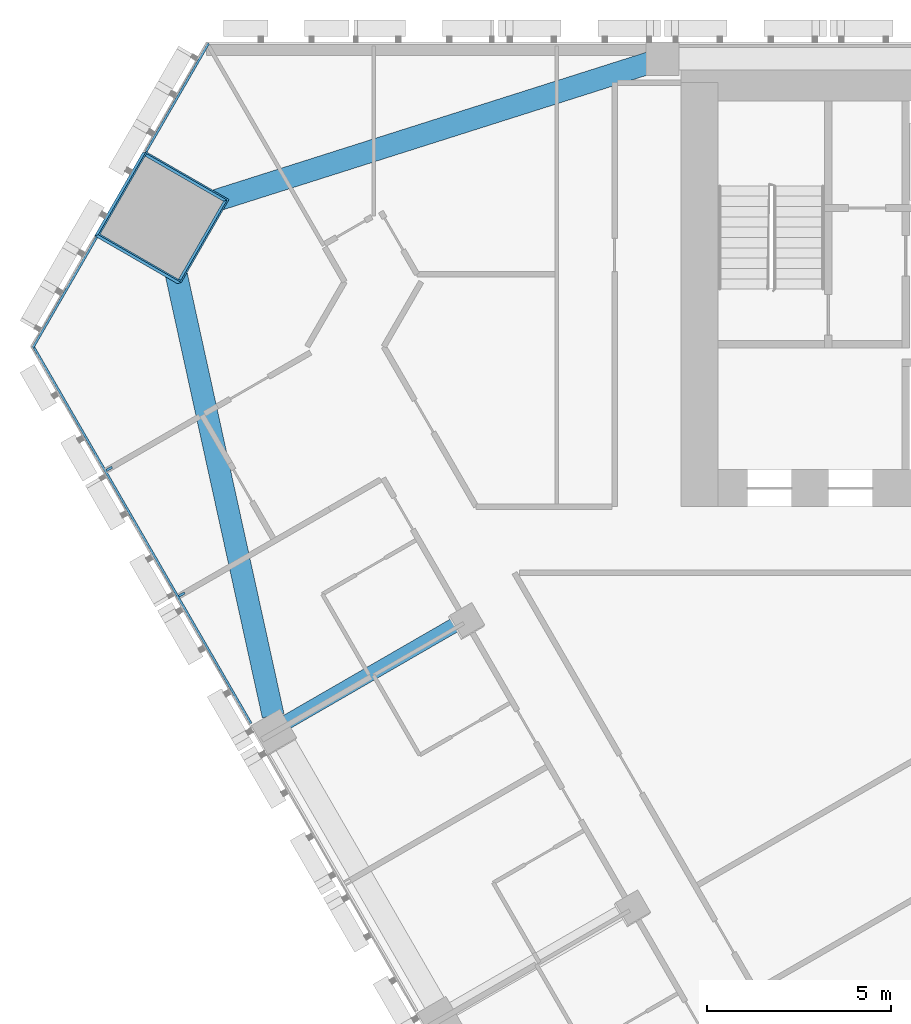
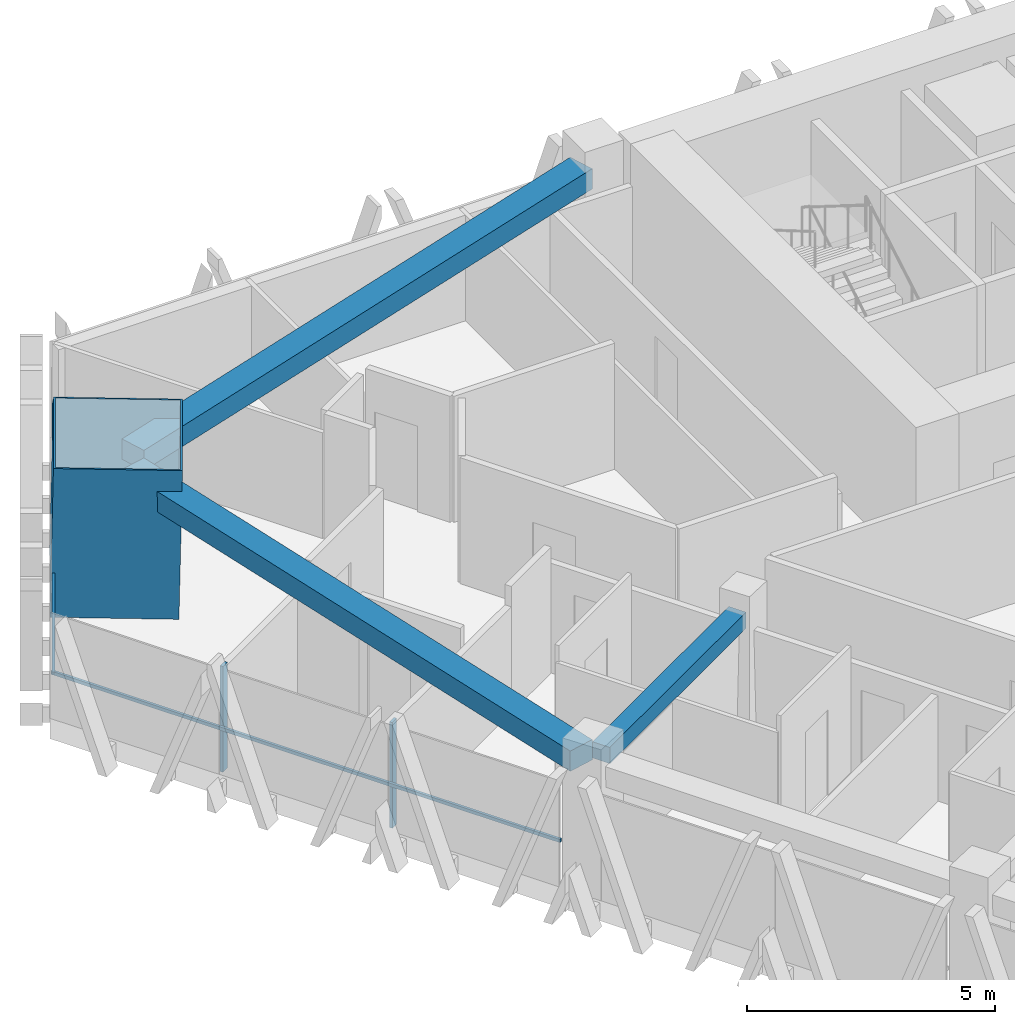
# One storey, part 6 of 18: 6 members, 3 beams, 2 elements without a shape of their own.
"""IFC4 building model written with IfcOpenShell, lengths in metres."""

from ifc_helpers import new_model, si_unit, direction, frame, origin, origin_2d, place, context, subcontext, project, spatial, rectangle, hollow_rectangle, extrude, material, layer, layer_set, material_profile, profile_set, type_object, element, aggregate, save


model = new_model("IFC4")

# Units and contexts
model_context = context("Model", 3, precision=1e-05, world=origin(), true_north=direction((0.0, 1.0)))
body_context = subcontext(model_context, "Body", "Model", "MODEL_VIEW")
ifc_project = project(units=[si_unit("LENGTHUNIT", "METRE"), si_unit("AREAUNIT", "SQUARE_METRE"), si_unit("VOLUMEUNIT", "CUBIC_METRE"), si_unit("PLANEANGLEUNIT", "RADIAN"), si_unit("MASSUNIT", "GRAM", prefix="KILO")], contexts=[model_context])

# Site, building, storey
site_placement = place(None, origin())
site = spatial("IfcSite", under=ifc_project, at=site_placement, CompositionType="ELEMENT")
building_placement = place(site_placement, origin())
building = spatial("IfcBuilding", under=site, at=building_placement, Name="Altiplano Prism Tower", CompositionType="ELEMENT")
storey_placement = place(building_placement, frame((0.0, 0.0, 48.60009765625)))
storey = spatial("IfcBuildingStorey", under=building, at=storey_placement, Name="L11", CompositionType="ELEMENT", Elevation=48.60009765625)

# Curtain wall, members
ifc_material_1 = material(Name="Aluminium and glass", Category="aluminium")
ifc_layer = layer(ifc_material_1, 0.280029296875)
ifc_layer_set = layer_set([ifc_layer], Name="Aluminium and glass")
curtain_wall_type = type_object("IfcCurtainWallType", Name="CW1 typical co-living unitised curtain wall", PredefinedType="NOTDEFINED", material=ifc_layer_set)
curtain_wall_1_placement = place(storey_placement, origin())
curtain_wall_1 = element("IfcCurtainWall", 1, at=curtain_wall_1_placement, inside=storey, type_object=curtain_wall_type, Name="CW1 curtain wall south-west face L11", PredefinedType="NOTDEFINED")
ifc_material_2 = material(Name="Aluminium", Category="aluminium")
ifc_material_profile_1 = material_profile(ifc_material_2, rectangle(XDim=0.179931640625, YDim=0.06494140625, at=origin_2d()), Name="CW1 mullion 65 x 180")
ifc_profile_set_1 = profile_set([ifc_material_profile_1], Name="Aluminium")
member_type_1 = type_object("IfcMemberType", Name="CW1 mullion 65 x 180", PredefinedType="MULLION", material=ifc_profile_set_1)
member_1_placement = place(storey_placement, frame((56.4892578125, 93.4248046875, 0.0), z_axis=(0.0, 0.0, 1.0), x_axis=(0.866025410076, 0.499999989102, 0.0)))
member_1 = element("IfcMember", 2, at=member_1_placement, type_object=member_type_1, Name="CW1 mullion", PredefinedType="MULLION", context=body_context, shape_type="SweptSolid", body=[
    extrude(rectangle(XDim=0.179931640625, YDim=0.06494140625, at=origin_2d()), origin(), (0.0, 0.0, 1.0), 2.599853515625),
])
member_2_placement = place(storey_placement, frame((58.4580078125, 90.0146484375, 0.0), z_axis=(0.0, 0.0, 1.0), x_axis=(0.866025410076, 0.499999989102, 0.0)))
member_2 = element("IfcMember", 3, at=member_2_placement, type_object=member_type_1, Name="CW1 mullion", PredefinedType="MULLION", context=body_context, shape_type="SweptSolid", body=[
    extrude(rectangle(XDim=0.179931640625, YDim=0.06494140625, at=origin_2d()), origin(), (0.0, 0.0, 1.0), 2.599853515625),
])

curtain_wall_2_placement = place(storey_placement, origin())
curtain_wall_2 = element("IfcCurtainWall", 4, at=curtain_wall_2_placement, inside=storey, type_object=curtain_wall_type, Name="CW1 curtain wall north-west chamfer L11", PredefinedType="NOTDEFINED")
ifc_material_profile_2 = material_profile(ifc_material_2, rectangle(XDim=0.06005859375, YDim=0.080078125, at=origin_2d()), Name="CW1 transom 80 x 60")
ifc_profile_set_2 = profile_set([ifc_material_profile_2], Name="Aluminium")
member_type_2 = type_object("IfcMemberType", Name="CW1 transom 80 x 60", PredefinedType="USERDEFINED", material=ifc_profile_set_2)
member_3_placement = place(storey_placement, frame((59.185546875, 104.965087890625, 1.099853515625), z_axis=(-0.500005136037, -0.866022438472, 0.0), x_axis=(0.866022438472, -0.500005136037, 0.0)))
member_3 = element("IfcMember", 5, at=member_3_placement, type_object=member_type_2, Name="CW1 transom", ObjectType="TRANSOM", PredefinedType="USERDEFINED", context=body_context, shape_type="SweptSolid", body=[
    extrude(rectangle(XDim=0.06005859375, YDim=0.080078125, at=origin_2d()), origin(), (0.0, 0.0, 1.0), 3.38916015625),
])
member_4_placement = place(storey_placement, frame((56.151123046875, 99.708984375, 1.099853515625), z_axis=(-0.500006734102, -0.866021515814, 0.0), x_axis=(0.866021515814, -0.500006734102, 0.0)))
member_4 = element("IfcMember", 6, at=member_4_placement, type_object=member_type_2, Name="CW1 transom", ObjectType="TRANSOM", PredefinedType="USERDEFINED", context=body_context, shape_type="SweptSolid", body=[
    extrude(rectangle(XDim=0.06005859375, YDim=0.080078125, at=origin_2d()), origin(), (0.0, 0.0, 1.0), 3.46923828125),
])
aggregate(curtain_wall_2, [member_3, member_4])

# Member
member_5_placement = place(storey_placement, frame((54.41650390625, 96.774658203125, 1.099853515625), z_axis=(0.500004931598, -0.866022556506, 0.0), x_axis=(0.866022556506, 0.500004931598, 0.0)))
member_5 = element("IfcMember", 7, at=member_5_placement, type_object=member_type_2, Name="CW1 transom", ObjectType="TRANSOM", PredefinedType="USERDEFINED", context=body_context, shape_type="SweptSolid", body=[
    extrude(rectangle(XDim=0.06005859375, YDim=0.080078125, at=origin_2d()), origin(), (0.0, 0.0, 1.0), 11.845703125),
])

aggregate(curtain_wall_1, [member_1, member_2, member_5])

# Beams
ifc_material_3 = material(Name="Concrete C60/75", Category="concrete")
ifc_material_profile_3 = material_profile(ifc_material_3, rectangle(XDim=0.60009765625, YDim=0.5, at=origin_2d()), Name="Edge beam 600x500")
ifc_profile_set_3 = profile_set([ifc_material_profile_3], Name="Concrete C60/75")
beam_type_1 = type_object("IfcBeamType", Name="Edge beam 600x500", PredefinedType="SPANDREL", material=ifc_profile_set_3)
for number, where, z_axis, x_axis, name in (
    (8, (71.164306640625, 104.443359375, 2.849853515625), (-0.953102989062, -0.302646150218, 0.0), (0.302646150218, -0.953102989062, 0.0), "Edge beam P04-M0 L12"),
    (9, (58.06494140625, 99.813720703125, 2.849853515625), (0.214448008524, -0.976735405133, 0.0), (0.976735405133, 0.214448008524, 0.0), "Edge beam M0-P11 L12"),
):
    element("IfcBeam", number, at=place(storey_placement, frame(where, z_axis=z_axis, x_axis=x_axis)), inside=storey, type_object=beam_type_1, Name=name, PredefinedType="SPANDREL", context=body_context, shape_type="SweptSolid", body=[
        extrude(rectangle(XDim=0.60009765625, YDim=0.5, at=origin_2d()), origin(), (0.0, 0.0, 1.0), 13.39501953125),
    ])

# Member
ifc_material_4 = material(Name="Steel S460", Category="steel")
ifc_material_profile_4 = material_profile(ifc_material_4, hollow_rectangle(XDim=2.60009765625, YDim=2.60009765625, WallThickness=0.0400390625, at=origin_2d()), Name="Mega column tube 2600")
ifc_profile_set_4 = profile_set([ifc_material_profile_4], Name="Steel S460")
member_type_3 = type_object("IfcMemberType", Name="Mega column tube 2600", PredefinedType="POST", material=ifc_profile_set_4)
member_6_placement = place(storey_placement, frame((57.8662109375, 100.2197265625, 0.0), z_axis=(0.028403721265, 0.009287135593, 0.999553389135), x_axis=(-0.866197515162, 0.499302374824, 0.019975065005)))
element("IfcMember", 10, at=member_6_placement, inside=storey, type_object=member_type_3, Name="Mega column tube M0 L11", PredefinedType="POST", context=body_context, shape_type="SweptSolid", body=[
    extrude(hollow_rectangle(XDim=2.60009765625, YDim=2.60009765625, WallThickness=0.0400390625, at=origin_2d()), origin(), (0.0, 0.0, 1.0), 3.6015625),
])

# Beam
ifc_material_profile_5 = material_profile(ifc_material_3, rectangle(XDim=0.39990234375, YDim=0.39990234375, at=origin_2d()), Name="Tie beam 400x400")
ifc_profile_set_5 = profile_set([ifc_material_profile_5], Name="Concrete C60/75")
beam_type_2 = type_object("IfcBeamType", Name="Tie beam 400x400", PredefinedType="BEAM", material=ifc_profile_set_5)
beam_placement = place(storey_placement, frame((66.053466796875, 89.296142578125, 2.89990234375), z_axis=(-0.866042665983, -0.499970099802, 0.0), x_axis=(0.499970099802, -0.866042665983, 0.0)))
element("IfcBeam", 11, at=beam_placement, inside=storey, type_object=beam_type_2, Name="Tie beam I11 L12", PredefinedType="BEAM", context=body_context, shape_type="SweptSolid", body=[
    extrude(rectangle(XDim=0.39990234375, YDim=0.39990234375, at=origin_2d()), origin(), (0.0, 0.0, 1.0), 5.489990234375),
])

save(model, "model.ifc")
